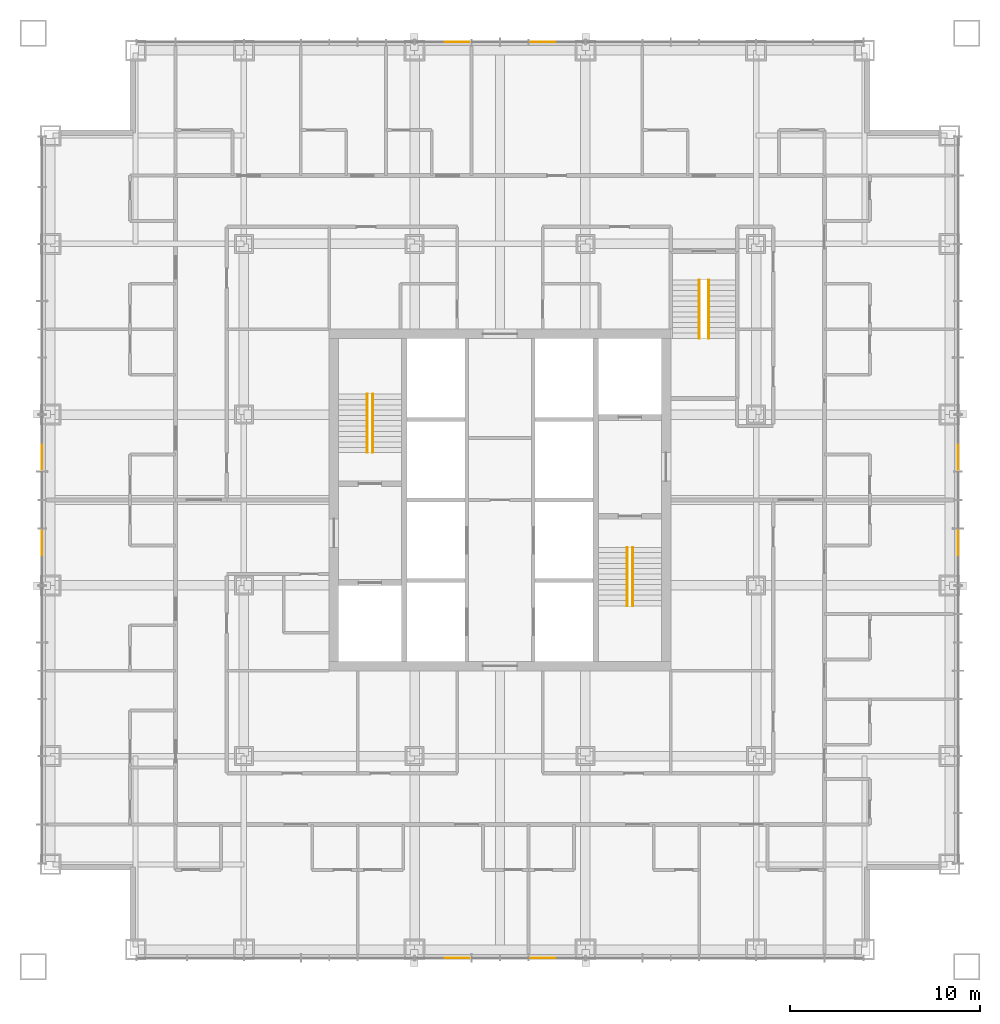
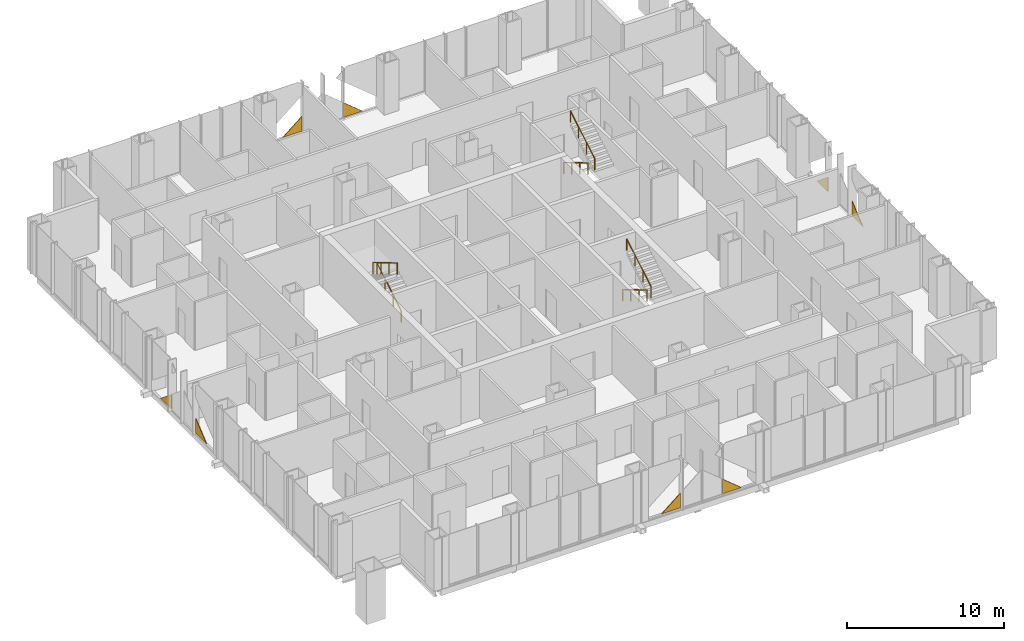
# One storey, part 14 of 16: 8 coverings, 6 railings.
"""IFC4 building model written with IfcOpenShell, lengths in metres."""

from ifc_helpers import new_model, si_unit, direction, frame, origin, origin_2d, place, context, subcontext, project, spatial, polyline, circle, outline, extrude, material, layer, layer_set, type_object, element, save


model = new_model("IFC4")

# Units and contexts
model_context = context("Model", 3, precision=1e-05, world=origin(), true_north=direction((0.0, 1.0)))
body_context = subcontext(model_context, "Body", "Model", "MODEL_VIEW")
ifc_project = project(units=[si_unit("LENGTHUNIT", "METRE"), si_unit("AREAUNIT", "SQUARE_METRE"), si_unit("VOLUMEUNIT", "CUBIC_METRE"), si_unit("PLANEANGLEUNIT", "RADIAN"), si_unit("MASSUNIT", "GRAM", prefix="KILO")], contexts=[model_context])

# Site, building, storey
site_placement = place(None, origin())
site = spatial("IfcSite", under=ifc_project, at=site_placement, CompositionType="ELEMENT")
building_placement = place(site_placement, origin())
building = spatial("IfcBuilding", under=site, at=building_placement, Name="Malebo Sky Hospital", CompositionType="ELEMENT")
storey_placement = place(building_placement, frame((0.0, 0.0, 116.0)))
storey = spatial("IfcBuildingStorey", under=building, at=storey_placement, Name="L27", CompositionType="ELEMENT", Elevation=116.0)

# Coverings
ifc_material_1 = material(Name="Anodised aluminium, natural silver insulated infill panel", Category="aluminium")
ifc_layer = layer(ifc_material_1, 0.0400390625)
ifc_layer_set = layer_set([ifc_layer], Name="BRACE INFILL PANEL 40")
covering_type = type_object("IfcCoveringType", Name="BRACE INFILL PANEL 40", PredefinedType="CLADDING", material=ifc_layer_set)
covering_1_placement = place(storey_placement, frame((57.766357421875, 86.135009765625, 0.10009765625), z_axis=(0.0, 0.0, 1.0), x_axis=(1.0, 0.0, 0.0)))
element("IfcCovering", 1, at=covering_1_placement, inside=storey, type_object=covering_type, Name="Brace infill panel 8.1", PredefinedType="CLADDING", context=body_context, shape_type="SweptSolid", body=[
    extrude(outline(polyline([(-0.696044921875, 0.0), (0.696044921875, 0.0), (0.696044921875, 1.147216796875), (-0.696044921875, 0.0)])), frame((0.0, 0.02001953125, 0.0), z_axis=(0.0, -1.0, 0.0), x_axis=(1.0, 0.0, 0.0)), (0.0, 0.0, 1.0), 0.0400390625),
])
covering_2_placement = place(storey_placement, frame((62.233642578125, 86.135009765625, 0.10009765625), z_axis=(0.0, 0.0, 1.0), x_axis=(1.0, 0.0, 0.0)))
element("IfcCovering", 2, at=covering_2_placement, inside=storey, type_object=covering_type, Name="Brace infill panel 11.1", PredefinedType="CLADDING", context=body_context, shape_type="SweptSolid", body=[
    extrude(outline(polyline([(-0.696044921875, 0.0), (0.696044921875, 0.0), (-0.696044921875, 1.147216796875), (-0.696044921875, 0.0)])), frame((0.0, 0.02001953125, 0.0), z_axis=(0.0, -1.0, 0.0), x_axis=(1.0, 0.0, 0.0)), (0.0, 0.0, 1.0), 0.0400390625),
])
covering_3_placement = place(storey_placement, frame((35.864990234375, 59.766357421875, 0.10009765625), z_axis=(0.0, 0.0, 1.0), x_axis=(0.0, 1.0, 0.0)))
element("IfcCovering", 3, at=covering_3_placement, inside=storey, type_object=covering_type, Name="Brace infill panel 7.1", PredefinedType="CLADDING", context=body_context, shape_type="SweptSolid", body=[
    extrude(outline(polyline([(-0.696044921875, 0.0), (0.696044921875, 0.0), (0.696044921875, 1.147216796875), (-0.696044921875, 0.0)])), frame((0.0, 0.02001953125, 0.0), z_axis=(0.0, -1.0, 0.0), x_axis=(1.0, 0.0, 0.0)), (0.0, 0.0, 1.0), 0.0400390625),
])
covering_4_placement = place(storey_placement, frame((35.864990234375, 64.233642578125, 0.10009765625), z_axis=(0.0, 0.0, 1.0), x_axis=(0.0, 1.0, 0.0)))
element("IfcCovering", 4, at=covering_4_placement, inside=storey, type_object=covering_type, Name="Brace infill panel 10.1", PredefinedType="CLADDING", context=body_context, shape_type="SweptSolid", body=[
    extrude(outline(polyline([(-0.696044921875, 0.0), (0.696044921875, 0.0), (-0.696044921875, 1.147216796875), (-0.696044921875, 0.0)])), frame((0.0, 0.02001953125, 0.0), z_axis=(0.0, -1.0, 0.0), x_axis=(1.0, 0.0, 0.0)), (0.0, 0.0, 1.0), 0.0400390625),
])
covering_5_placement = place(storey_placement, frame((62.233642578125, 37.864990234375, 0.10009765625), z_axis=(0.0, 0.0, 1.0), x_axis=(-1.0, 0.0, 0.0)))
element("IfcCovering", 5, at=covering_5_placement, inside=storey, type_object=covering_type, Name="Brace infill panel 7.1", PredefinedType="CLADDING", context=body_context, shape_type="SweptSolid", body=[
    extrude(outline(polyline([(-0.696044921875, 0.0), (0.696044921875, 0.0), (0.696044921875, 1.147216796875), (-0.696044921875, 0.0)])), frame((0.0, 0.02001953125, 0.0), z_axis=(0.0, -1.0, 0.0), x_axis=(1.0, 0.0, 0.0)), (0.0, 0.0, 1.0), 0.0400390625),
])
covering_6_placement = place(storey_placement, frame((57.766357421875, 37.864990234375, 0.10009765625), z_axis=(0.0, 0.0, 1.0), x_axis=(-1.0, 0.0, 0.0)))
element("IfcCovering", 6, at=covering_6_placement, inside=storey, type_object=covering_type, Name="Brace infill panel 10.1", PredefinedType="CLADDING", context=body_context, shape_type="SweptSolid", body=[
    extrude(outline(polyline([(-0.696044921875, 0.0), (0.696044921875, 0.0), (-0.696044921875, 1.147216796875), (-0.696044921875, 0.0)])), frame((0.0, 0.02001953125, 0.0), z_axis=(0.0, -1.0, 0.0), x_axis=(1.0, 0.0, 0.0)), (0.0, 0.0, 1.0), 0.0400390625),
])
covering_7_placement = place(storey_placement, frame((84.135009765625, 64.233642578125, 0.10009765625), z_axis=(0.0, 0.0, 1.0), x_axis=(0.0, -1.0, 0.0)))
element("IfcCovering", 7, at=covering_7_placement, inside=storey, type_object=covering_type, Name="Brace infill panel 7.1", PredefinedType="CLADDING", context=body_context, shape_type="SweptSolid", body=[
    extrude(outline(polyline([(-0.696044921875, 0.0), (0.696044921875, 0.0), (0.696044921875, 1.147216796875), (-0.696044921875, 0.0)])), frame((0.0, 0.02001953125, 0.0), z_axis=(0.0, -1.0, 0.0), x_axis=(1.0, 0.0, 0.0)), (0.0, 0.0, 1.0), 0.0400390625),
])
covering_8_placement = place(storey_placement, frame((84.135009765625, 59.766357421875, 0.10009765625), z_axis=(0.0, 0.0, 1.0), x_axis=(0.0, -1.0, 0.0)))
element("IfcCovering", 8, at=covering_8_placement, inside=storey, type_object=covering_type, Name="Brace infill panel 10.1", PredefinedType="CLADDING", context=body_context, shape_type="SweptSolid", body=[
    extrude(outline(polyline([(-0.696044921875, 0.0), (0.696044921875, 0.0), (-0.696044921875, 1.147216796875), (-0.696044921875, 0.0)])), frame((0.0, 0.02001953125, 0.0), z_axis=(0.0, -1.0, 0.0), x_axis=(1.0, 0.0, 0.0)), (0.0, 0.0, 1.0), 0.0400390625),
])

# Railings
ifc_material_2 = material(Name="Stainless steel tube", Category="steel")
railing_type = type_object("IfcRailingType", Name="STAIR HANDRAIL 900", PredefinedType="HANDRAIL", material=ifc_material_2)
railing_1_placement = place(storey_placement, frame((53.300048828125, 64.5, 0.166748046875)))
element("IfcRailing", 9, at=railing_1_placement, inside=storey, type_object=railing_type, Name="Stair handrail S1 flight 1", PredefinedType="HANDRAIL", context=body_context, shape_type="SweptSolid", body=[
    extrude(circle(Radius=0.02392578125, at=origin_2d()), frame((0.0, 0.0, 0.8759765625), z_axis=(0.0, 0.859308565015, 0.511457515432), x_axis=(-1.0, 0.0, 0.0)), (0.0, 0.0, 1.0), 3.58447265625),
    extrude(circle(Radius=0.02099609375, at=origin_2d()), origin(), (0.0, 0.0, 1.0), 0.851806640625),
    extrude(circle(Radius=0.02099609375, at=origin_2d()), frame((0.0, 1.026611328125, 0.611083984375)), (0.0, 0.0, 1.0), 0.851806640625),
    extrude(circle(Radius=0.02099609375, at=origin_2d()), frame((0.0, 2.053466796875, 1.22216796875)), (0.0, 0.0, 1.0), 0.851806640625),
    extrude(circle(Radius=0.02099609375, at=origin_2d()), frame((0.0, 3.080078125, 1.833251953125)), (0.0, 0.0, 1.0), 0.851806640625),
])
for number, where, name in (
    (10, (53.0, 67.580078125, 2.166748046875), "Stair handrail S1 flight 2"),
    (11, (66.699951171875, 59.5, 0.166748046875), "Stair handrail S2 flight 1"),
):
    element("IfcRailing", number, at=place(storey_placement, frame(where)), inside=storey, type_object=railing_type, Name=name, PredefinedType="HANDRAIL", context=body_context, shape_type="SweptSolid", body=[
        extrude(circle(Radius=0.02392578125, at=origin_2d()), frame((0.0, 0.0, 0.8759765625), z_axis=(0.0, -0.859308565015, 0.511457515432), x_axis=(1.0, 0.0, 0.0)), (0.0, 0.0, 1.0), 3.58447265625),
        extrude(circle(Radius=0.02099609375, at=origin_2d()), origin(), (0.0, 0.0, 1.0), 0.851806640625),
        extrude(circle(Radius=0.02099609375, at=origin_2d()), frame((0.0, -1.026611328125, 0.611083984375)), (0.0, 0.0, 1.0), 0.851806640625),
        extrude(circle(Radius=0.02099609375, at=origin_2d()), frame((0.0, -2.053466796875, 1.22216796875)), (0.0, 0.0, 1.0), 0.851806640625),
        extrude(circle(Radius=0.02099609375, at=origin_2d()), frame((0.0, -3.080078125, 1.833251953125)), (0.0, 0.0, 1.0), 0.851806640625),
    ])
railing_2_placement = place(storey_placement, frame((67.0, 56.419921875, 2.166748046875)))
element("IfcRailing", 12, at=railing_2_placement, inside=storey, type_object=railing_type, Name="Stair handrail S2 flight 2", PredefinedType="HANDRAIL", context=body_context, shape_type="SweptSolid", body=[
    extrude(circle(Radius=0.02392578125, at=origin_2d()), frame((0.0, 0.0, 0.8759765625), z_axis=(0.0, 0.859308565015, 0.511457515432), x_axis=(-1.0, 0.0, 0.0)), (0.0, 0.0, 1.0), 3.58447265625),
    extrude(circle(Radius=0.02099609375, at=origin_2d()), origin(), (0.0, 0.0, 1.0), 0.851806640625),
    extrude(circle(Radius=0.02099609375, at=origin_2d()), frame((0.0, 1.026611328125, 0.611083984375)), (0.0, 0.0, 1.0), 0.851806640625),
    extrude(circle(Radius=0.02099609375, at=origin_2d()), frame((0.0, 2.053466796875, 1.22216796875)), (0.0, 0.0, 1.0), 0.851806640625),
    extrude(circle(Radius=0.02099609375, at=origin_2d()), frame((0.0, 3.080078125, 1.833251953125)), (0.0, 0.0, 1.0), 0.851806640625),
])
railing_3_placement = place(storey_placement, frame((70.5, 73.60009765625, 0.166748046875)))
element("IfcRailing", 13, at=railing_3_placement, inside=storey, type_object=railing_type, Name="Stair handrail S3 flight 1", PredefinedType="HANDRAIL", context=body_context, shape_type="SweptSolid", body=[
    extrude(circle(Radius=0.02392578125, at=origin_2d()), frame((0.0, 0.0, 0.8759765625), z_axis=(0.0, -0.859308565015, 0.511457515432), x_axis=(1.0, 0.0, 0.0)), (0.0, 0.0, 1.0), 3.58447265625),
    extrude(circle(Radius=0.02099609375, at=origin_2d()), origin(), (0.0, 0.0, 1.0), 0.851806640625),
    extrude(circle(Radius=0.02099609375, at=origin_2d()), frame((0.0, -1.026611328125, 0.611083984375)), (0.0, 0.0, 1.0), 0.851806640625),
    extrude(circle(Radius=0.02099609375, at=origin_2d()), frame((0.0, -2.053466796875, 1.22216796875)), (0.0, 0.0, 1.0), 0.851806640625),
    extrude(circle(Radius=0.02099609375, at=origin_2d()), frame((0.0, -3.080078125, 1.833251953125)), (0.0, 0.0, 1.0), 0.851806640625),
])
railing_4_placement = place(storey_placement, frame((71.0, 70.52001953125, 2.166748046875)))
element("IfcRailing", 14, at=railing_4_placement, inside=storey, type_object=railing_type, Name="Stair handrail S3 flight 2", PredefinedType="HANDRAIL", context=body_context, shape_type="SweptSolid", body=[
    extrude(circle(Radius=0.02392578125, at=origin_2d()), frame((0.0, 0.0, 0.8759765625), z_axis=(0.0, 0.859308565015, 0.511457515432), x_axis=(-1.0, 0.0, 0.0)), (0.0, 0.0, 1.0), 3.58447265625),
    extrude(circle(Radius=0.02099609375, at=origin_2d()), origin(), (0.0, 0.0, 1.0), 0.851806640625),
    extrude(circle(Radius=0.02099609375, at=origin_2d()), frame((0.0, 1.026611328125, 0.611083984375)), (0.0, 0.0, 1.0), 0.851806640625),
    extrude(circle(Radius=0.02099609375, at=origin_2d()), frame((0.0, 2.053466796875, 1.22216796875)), (0.0, 0.0, 1.0), 0.851806640625),
    extrude(circle(Radius=0.02099609375, at=origin_2d()), frame((0.0, 3.080078125, 1.833251953125)), (0.0, 0.0, 1.0), 0.851806640625),
])

save(model, "model.ifc")
